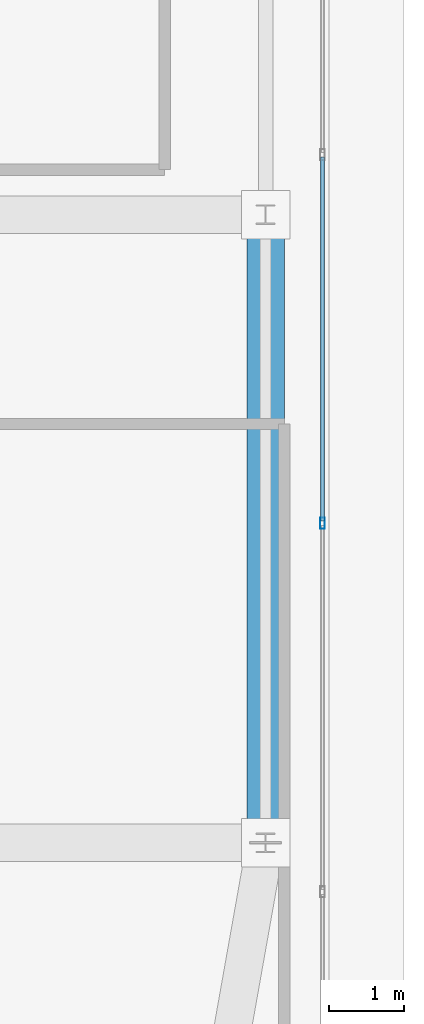
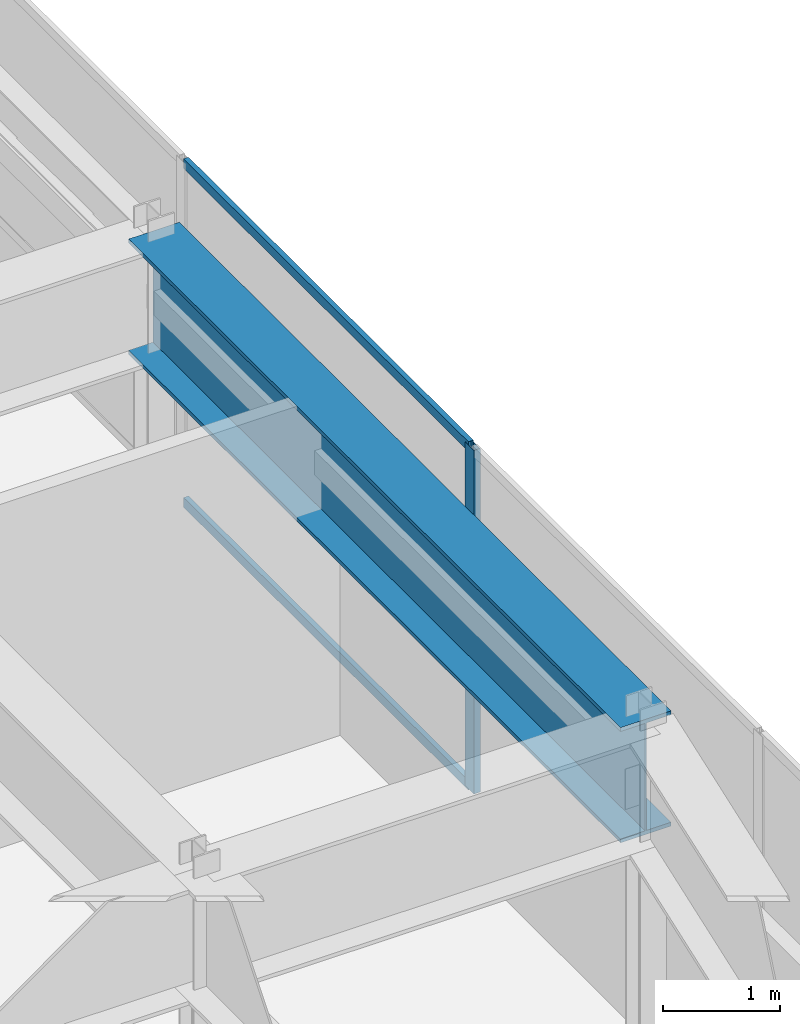
# One storey, part 20 of 35: 4 members, 1 beam, 1 element without a shape of its own.
"""IFC4 building model written with IfcOpenShell, lengths in metres."""

import ifcopenshell
import ifcopenshell.guid

model = None  # the IFC model being written
_history = None  # IfcOwnerHistory: only IFC2X3 demands one
_inside = {}  # id of a spatial element -> (the spatial element, [elements in it])
_under = {}  # id of a project, library or spatial element -> (it, [spatial elements below it])
_declared = {}  # id of a project -> (the project, [libraries it declares])
_typed = {}  # id of a type object -> (the type object, [elements of that type])
_made_of = {}  # id of a material, layer set ... -> (it, [elements and type objects made of it])


def new_model(schema):
    """Start an empty IFC model of exactly this schema.

    Asked for "IFC4X3", IfcOpenShell would pick the latest addendum, in which some entities
    have other attributes; the version numbers below select the first issue.
    IFC2X3 requires an IfcOwnerHistory on every rooted entity: one is made here for all.
    """
    global model, _history
    if schema == "IFC4X3":
        model = ifcopenshell.file(schema_version=(4, 3, 0, 0))
    else:
        model = ifcopenshell.file(schema=schema)
    _inside.clear()
    _under.clear()
    _declared.clear()
    _typed.clear()
    _made_of.clear()
    _history = None
    if model.schema == "IFC2X3":
        org = make("IfcOrganization", Name="unknown")
        user = make(
            "IfcPersonAndOrganization",
            ThePerson=make("IfcPerson", FamilyName="unknown"),
            TheOrganization=org,
        )
        app = make(
            "IfcApplication",
            ApplicationDeveloper=org,
            Version="unknown",
            ApplicationFullName="unknown",
            ApplicationIdentifier="unknown",
        )
        _history = make(
            "IfcOwnerHistory",
            OwningUser=user,
            OwningApplication=app,
            ChangeAction="ADDED",
            CreationDate=0,
        )
    return model


def make(cls, **values):
    """One entity of the class cls with the attributes given. An attribute that is None is left unset."""
    return model.create_entity(
        cls, **{name: value for name, value in values.items() if value is not None}
    )


def rooted(cls, **values):
    """An entity with a GlobalId (a new one), such as an element, a storey or a relation."""
    return make(cls, GlobalId=ifcopenshell.guid.new(), OwnerHistory=_history, **values)


def si_unit(unit_type, name, prefix=None):
    """IfcSIUnit, for example si_unit("LENGTHUNIT", "METRE", prefix="MILLI")."""
    return make("IfcSIUnit", UnitType=unit_type, Prefix=prefix, Name=name)


def assignment(units):
    """IfcUnitAssignment: the units of a project."""
    return None if units is None else make("IfcUnitAssignment", Units=units)


def point(xyz):
    """IfcCartesianPoint."""
    return None if xyz is None else make("IfcCartesianPoint", Coordinates=xyz)


def direction(xyz):
    """IfcDirection."""
    return None if xyz is None else make("IfcDirection", DirectionRatios=xyz)


def frame(location, z_axis=None, x_axis=None):
    """IfcAxis2Placement3D, a coordinate frame: its origin and axes. An axis left out is left unset."""
    return make(
        "IfcAxis2Placement3D",
        Location=point(location),
        Axis=direction(z_axis),
        RefDirection=direction(x_axis),
    )


def frame_2d(location, x_axis=None):
    """IfcAxis2Placement2D, a coordinate frame in the plane: its origin and x axis."""
    return make(
        "IfcAxis2Placement2D", Location=point(location), RefDirection=direction(x_axis)
    )


def origin():
    """The frame at (0, 0, 0) with its axes left unset."""
    return frame((0.0, 0.0, 0.0))


def origin_2d():
    """The frame at (0, 0) in the plane with its x axis left unset."""
    return frame_2d((0.0, 0.0))


def place(relative_to, where):
    """IfcLocalPlacement: puts the frame where relative to a parent placement (None: the world)."""
    return make(
        "IfcLocalPlacement", PlacementRelTo=relative_to, RelativePlacement=where
    )


def context(
    kind, dimensions, precision=None, world=None, true_north=None, identifier=None
):
    """IfcGeometricRepresentationContext, for example the 3D "Model" context."""
    return make(
        "IfcGeometricRepresentationContext",
        ContextIdentifier=identifier,
        ContextType=kind,
        CoordinateSpaceDimension=dimensions,
        Precision=precision,
        WorldCoordinateSystem=world,
        TrueNorth=true_north,
    )


def subcontext(parent, identifier, kind, view, scale=None):
    """IfcGeometricRepresentationSubContext, for example "Body" below "Model"."""
    return make(
        "IfcGeometricRepresentationSubContext",
        ContextIdentifier=identifier,
        ContextType=kind,
        ParentContext=parent,
        TargetScale=scale,
        TargetView=view,
    )


def project(units=None, contexts=None):
    """IfcProject with its units and contexts."""
    return rooted(
        "IfcProject",
        Name="project",
        RepresentationContexts=contexts,
        UnitsInContext=assignment(units),
    )


def spatial(cls, under=None, at=None, **own):
    """A site, building, storey or space (cls), placed at a placement, below another one or the project."""
    s = rooted(cls, ObjectPlacement=at, **own)
    if under is not None:
        _under.setdefault(under.id(), (under, []))[1].append(s)
    return s


def profile(cls, at=None, kind="AREA", **sizes):
    """A parametric profile (cls). Its sizes go by their IFC names, for example OverallWidth=200.0."""
    return make(cls, ProfileType=kind, Position=at, **sizes)


def hollow_rectangle(**sizes):
    """IfcRectangleHollowProfileDef."""
    return profile("IfcRectangleHollowProfileDef", **sizes)


def i_section(**sizes):
    """IfcIShapeProfileDef."""
    return profile("IfcIShapeProfileDef", **sizes)


def extrude(swept, where, along, depth):
    """IfcExtrudedAreaSolid: the profile swept, set in the frame where, extruded along a direction by depth."""
    return make(
        "IfcExtrudedAreaSolid",
        SweptArea=swept,
        Position=where,
        ExtrudedDirection=direction(along),
        Depth=depth,
    )


def shape(context_of_items, identifier, shape_type, items):
    """IfcShapeRepresentation: the items that make up one representation, for example the "Body"."""
    return make(
        "IfcShapeRepresentation",
        ContextOfItems=context_of_items,
        RepresentationIdentifier=identifier,
        RepresentationType=shape_type,
        Items=items,
    )


def source(mapping_origin, context_of_items, identifier, shape_type, items):
    """IfcRepresentationMap: a shape defined once, which mapped items show again and again."""
    return make(
        "IfcRepresentationMap",
        MappingOrigin=mapping_origin,
        MappedRepresentation=shape(context_of_items, identifier, shape_type, items),
    )


def transform(
    local_origin,
    x_axis=None,
    y_axis=None,
    z_axis=None,
    scale=None,
    scale2=None,
    scale3=None,
    uniform=True,
):
    """IfcCartesianTransformationOperator3D, or its non-uniform kind. x_axis, y_axis, z_axis: its Axis1, 2, 3."""
    if uniform:
        return make(
            "IfcCartesianTransformationOperator3D",
            Axis1=direction(x_axis),
            Axis2=direction(y_axis),
            LocalOrigin=point(local_origin),
            Scale=scale,
            Axis3=direction(z_axis),
        )
    return make(
        "IfcCartesianTransformationOperator3DnonUniform",
        Axis1=direction(x_axis),
        Axis2=direction(y_axis),
        LocalOrigin=point(local_origin),
        Scale=scale,
        Axis3=direction(z_axis),
        Scale2=scale2,
        Scale3=scale3,
    )


def mapped(mapping_source, mapping_target):
    """IfcMappedItem: shows the shape of a source again, moved by a transform."""
    return make(
        "IfcMappedItem", MappingSource=mapping_source, MappingTarget=mapping_target
    )


def material(Name=None, Category=None):
    """IfcMaterial."""
    return make("IfcMaterial", Name=Name, Category=Category)


def layer(
    of_material, thickness, ventilated=None, Name=None, Category=None, Priority=None
):
    """IfcMaterialLayer: one layer of a wall or slab, of a material (None: an air gap)."""
    return make(
        "IfcMaterialLayer",
        Material=of_material,
        LayerThickness=thickness,
        IsVentilated=ventilated,
        Name=Name,
        Category=Category,
        Priority=Priority,
    )


def layer_set(layers, Name=None):
    """IfcMaterialLayerSet."""
    return make("IfcMaterialLayerSet", MaterialLayers=layers, LayerSetName=Name)


def material_profile(
    of_material, cross_section, Name=None, Category=None, Priority=None
):
    """IfcMaterialProfile: a cross section and its material."""
    return make(
        "IfcMaterialProfile",
        Name=Name,
        Material=of_material,
        Profile=cross_section,
        Priority=Priority,
        Category=Category,
    )


def profile_set(profiles, Name=None, composite=None):
    """IfcMaterialProfileSet."""
    return make(
        "IfcMaterialProfileSet",
        Name=Name,
        MaterialProfiles=profiles,
        CompositeProfile=composite,
    )


def made_of(thing, what):
    """Note that an element or type object is made of a material, layer set ...; save() writes the relation."""
    if what is not None:
        _made_of.setdefault(what.id(), (what, []))[1].append(thing)
    return thing


def type_object(cls, material=None, **own):
    """A type object (cls), such as IfcWallType, which elements share."""
    return made_of(rooted(cls, **own), material)


def type_shapes(of_type, sources):
    """Give a type object the sources (RepresentationMaps) that its elements show as mapped items."""
    of_type.RepresentationMaps = sources


def element(
    cls,
    number,
    at=None,
    inside=None,
    cuts=None,
    type_object=None,
    material=None,
    context=None,
    identifier="Body",
    shape_type=None,
    held_by="IfcProductDefinitionShape",
    body=None,
    shapes=None,
    **own,
):
    """One element of the class cls, such as IfcWall. Its Tag is "e" and its number.

    at: its placement. inside: the storey or other place that contains it. cuts: it is an
    opening in that element (IfcRelVoidsElement). A single representation is given by context,
    identifier, shape_type and body (its items); several are given by shapes. held_by: the class
    of the entity that holds the representations. save() writes the other relations.
    """
    e = rooted(cls, Tag="e%d" % number, ObjectPlacement=at, **own)
    if body is not None:
        shapes = [shape(context, identifier, shape_type, body)]
    if shapes is not None:
        e.Representation = make(held_by, Representations=shapes)
    if inside is not None:
        _inside.setdefault(inside.id(), (inside, []))[1].append(e)
    if cuts is not None:
        rooted(
            "IfcRelVoidsElement", RelatingBuildingElement=cuts, RelatedOpeningElement=e
        )
    if type_object is not None:
        _typed.setdefault(type_object.id(), (type_object, []))[1].append(e)
    return made_of(e, material)


def aggregate(whole, parts):
    """IfcRelAggregates: a whole, such as a stair, and the parts it consists of."""
    return rooted("IfcRelAggregates", RelatingObject=whole, RelatedObjects=parts)


def save(model, path):
    """Write the relations noted so far, then the file.

    IfcRelAggregates (storeys below a building ...), IfcRelContainedInSpatialStructure (elements
    in a storey), IfcRelDefinesByType, IfcRelAssociatesMaterial and IfcRelDeclares: one each for
    every whole, place, type object, material and project.
    """
    for whole, parts in _under.values():
        aggregate(whole, parts)
    for where, things in _inside.values():
        rooted(
            "IfcRelContainedInSpatialStructure",
            RelatedElements=things,
            RelatingStructure=where,
        )
    for kind, things in _typed.values():
        rooted("IfcRelDefinesByType", RelatedObjects=things, RelatingType=kind)
    for what, things in _made_of.values():
        rooted("IfcRelAssociatesMaterial", RelatedObjects=things, RelatingMaterial=what)
    for by, libraries in _declared.values():
        rooted("IfcRelDeclares", RelatingContext=by, RelatedDefinitions=libraries)
    model.write(path)


model = new_model("IFC4")

# Units and contexts
model_context = context("Model", 3, precision=1e-05, world=origin(), true_north=direction((0.0, 1.0)))
body_context = subcontext(model_context, "Body", "Model", "MODEL_VIEW")
ifc_project = project(units=[si_unit("LENGTHUNIT", "METRE"), si_unit("AREAUNIT", "SQUARE_METRE"), si_unit("VOLUMEUNIT", "CUBIC_METRE"), si_unit("PLANEANGLEUNIT", "RADIAN"), si_unit("MASSUNIT", "GRAM", prefix="KILO")], contexts=[model_context])

# Site, building, storey
site_placement = place(None, origin())
site = spatial("IfcSite", under=ifc_project, at=site_placement, CompositionType="ELEMENT")
building_placement = place(site_placement, origin())
building = spatial("IfcBuilding", under=site, at=building_placement, Name="Tolvann Quenvar Hotel", CompositionType="ELEMENT")
storey_placement = place(building_placement, frame((0.0, 0.0, 290.949951171875)))
storey = spatial("IfcBuildingStorey", under=building, at=storey_placement, Name="L77", CompositionType="ELEMENT", Elevation=290.949951171875)

# Beam
ifc_material_1 = material(Name="Steel Grade 350", Category="steel")
ifc_material_profile_1 = material_profile(ifc_material_1, i_section(OverallWidth=0.5, OverallDepth=1.199951171875, WebThickness=0.01611328125, FlangeThickness=0.0400390625, at=origin_2d()), Name="1200WB455")
ifc_profile_set_1 = profile_set([ifc_material_profile_1], Name="Steel Grade 350")
beam_type = type_object("IfcBeamType", Name="BM_TG_1200WB455", PredefinedType="USERDEFINED", material=ifc_profile_set_1)
shared_shape_1 = source(origin(), body_context, "Body", "SweptSolid", [
    extrude(i_section(OverallWidth=0.5, OverallDepth=1.199951171875, WebThickness=0.01611328125, FlangeThickness=0.0400390625, at=origin_2d()), origin(), (0.0, 0.0, 1.0), 8.39990234375),
])
type_shapes(beam_type, [shared_shape_1])
beam_placement = place(storey_placement, frame((37.14990234375, 16.0, 2.97998046875), z_axis=(0.0, 1.0, 0.0), x_axis=(-1.0, 0.0, 0.0)))
element("IfcBeam", 1, at=beam_placement, inside=storey, type_object=beam_type, Name="BM-L77-NS-G4-G5", ObjectType="TRANSFER GIRDER", PredefinedType="USERDEFINED", context=body_context, shape_type="MappedRepresentation", body=[
    mapped(shared_shape_1, transform((0.0, 0.0, 0.0), x_axis=(1.0, 0.0, 0.0), y_axis=(0.0, 1.0, 0.0), z_axis=(0.0, 0.0, 1.0), scale=1.0)),
])

# Curtain wall, members
ifc_material_2 = material(Name="Thermally broken anodised architectural aluminium 6063-T6 and laminated low-E glass", Category="aluminium")
ifc_layer = layer(ifc_material_2, 0.179931640625)
ifc_layer_set = layer_set([ifc_layer], Name="Thermally broken anodised architectural aluminium 6063-T6 and laminated low-E glass")
curtain_wall_type = type_object("IfcCurtainWallType", Name="CW_SYS_LANT_06", PredefinedType="USERDEFINED", material=ifc_layer_set)
curtain_wall_placement = place(storey_placement, origin())
curtain_wall = element("IfcCurtainWall", 2, at=curtain_wall_placement, inside=storey, type_object=curtain_wall_type, Name="Curtain Wall CW-LANT-06 (CWR-L77-E09)", ObjectType="UNITISED CURTAIN WALL", PredefinedType="USERDEFINED")
ifc_material_3 = material(Name="Anodised architectural aluminium 6063-T6 framing", Category="aluminium")
ifc_material_profile_2 = material_profile(ifc_material_3, hollow_rectangle(XDim=0.06494140625, YDim=0.14990234375, WallThickness=0.00390625, at=origin_2d()), Name="150x65x4RHS")
ifc_profile_set_2 = profile_set([ifc_material_profile_2], Name="Anodised architectural aluminium 6063-T6 framing")
member_type_1 = type_object("IfcMemberType", Name="CW_MULL_150x65", PredefinedType="MULLION", material=ifc_profile_set_2)
shared_shape_2 = source(origin(), body_context, "Body", "SweptSolid", [
    extrude(hollow_rectangle(XDim=0.06494140625, YDim=0.14990234375, WallThickness=0.00390625, at=origin_2d()), origin(), (0.0, 0.0, 1.0), 3.580078125),
])
type_shapes(member_type_1, [shared_shape_2])
member_1_placement = place(storey_placement, frame((37.909912109375, 20.2724609375, 0.0), z_axis=(0.0, 0.0, 1.0), x_axis=(-1.0, 0.0, 0.0)))
member_1 = element("IfcMember", 3, at=member_1_placement, type_object=member_type_1, Name="CW-LANT-06 mullion 3", PredefinedType="MULLION", context=body_context, shape_type="MappedRepresentation", body=[
    mapped(shared_shape_2, transform((0.0, 0.0, 0.0), x_axis=(1.0, 0.0, 0.0), y_axis=(0.0, 1.0, 0.0), z_axis=(0.0, 0.0, 1.0), scale=1.0)),
])
ifc_material_profile_3 = material_profile(ifc_material_3, hollow_rectangle(XDim=0.050048828125, YDim=0.10009765625, WallThickness=0.0029296875, at=origin_2d()), Name="100x50x3RHS")
ifc_profile_set_3 = profile_set([ifc_material_profile_3], Name="Anodised architectural aluminium 6063-T6 framing")
member_type_2 = type_object("IfcMemberType", Name="CW_TRAN_100x50", PredefinedType="USERDEFINED", material=ifc_profile_set_3)
shared_shape_3 = source(origin(), body_context, "Body", "SweptSolid", [
    extrude(hollow_rectangle(XDim=0.050048828125, YDim=0.10009765625, WallThickness=0.0029296875, at=origin_2d()), origin(), (0.0, 0.0, 1.0), 4.862548828125),
])
type_shapes(member_type_2, [shared_shape_3])
member_2_placement = place(storey_placement, frame((37.909912109375, 20.304931640625, 0.025146484375), z_axis=(0.0, 1.0, 0.0), x_axis=(-1.0, 0.0, 0.0)))
member_2 = element("IfcMember", 4, at=member_2_placement, type_object=member_type_2, Name="CW-LANT-06 transom 3.1", ObjectType="TRANSOM", PredefinedType="USERDEFINED", context=body_context, shape_type="MappedRepresentation", body=[
    mapped(shared_shape_3, transform((0.0, 0.0, 0.0), x_axis=(1.0, 0.0, 0.0), y_axis=(0.0, 1.0, 0.0), z_axis=(0.0, 0.0, 1.0), scale=1.0)),
])
member_3_placement = place(storey_placement, frame((37.909912109375, 20.304931640625, 1.050048828125), z_axis=(0.0, 1.0, 0.0), x_axis=(-1.0, 0.0, 0.0)))
member_3 = element("IfcMember", 5, at=member_3_placement, type_object=member_type_2, Name="CW-LANT-06 transom 3.2", ObjectType="TRANSOM", PredefinedType="USERDEFINED", context=body_context, shape_type="MappedRepresentation", body=[
    mapped(shared_shape_3, transform((0.0, 0.0, 0.0), x_axis=(1.0, 0.0, 0.0), y_axis=(0.0, 1.0, 0.0), z_axis=(0.0, 0.0, 1.0), scale=1.0)),
])
member_4_placement = place(storey_placement, frame((37.909912109375, 20.304931640625, 3.554931640625), z_axis=(0.0, 1.0, 0.0), x_axis=(-1.0, 0.0, 0.0)))
member_4 = element("IfcMember", 6, at=member_4_placement, type_object=member_type_2, Name="CW-LANT-06 transom 3.3", ObjectType="TRANSOM", PredefinedType="USERDEFINED", context=body_context, shape_type="MappedRepresentation", body=[
    mapped(shared_shape_3, transform((0.0, 0.0, 0.0), x_axis=(1.0, 0.0, 0.0), y_axis=(0.0, 1.0, 0.0), z_axis=(0.0, 0.0, 1.0), scale=1.0)),
])
aggregate(curtain_wall, [member_1, member_2, member_3, member_4])

save(model, "model.ifc")
